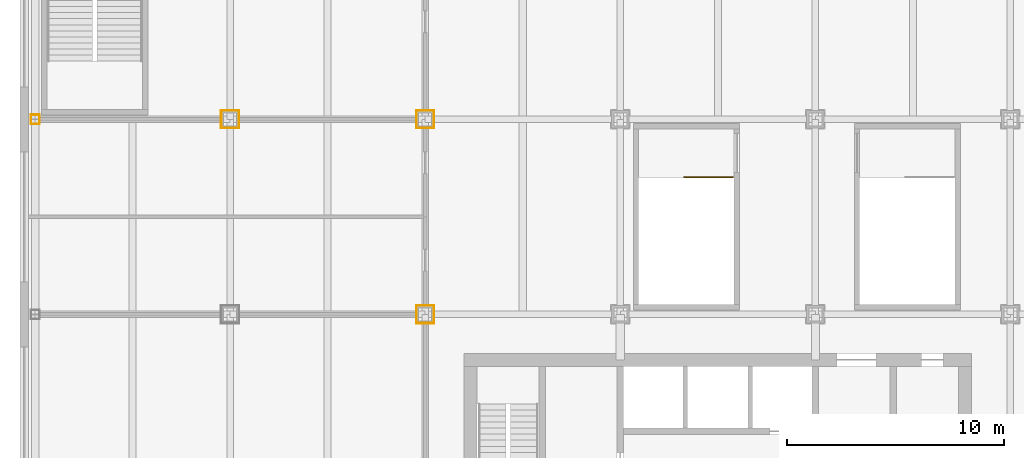
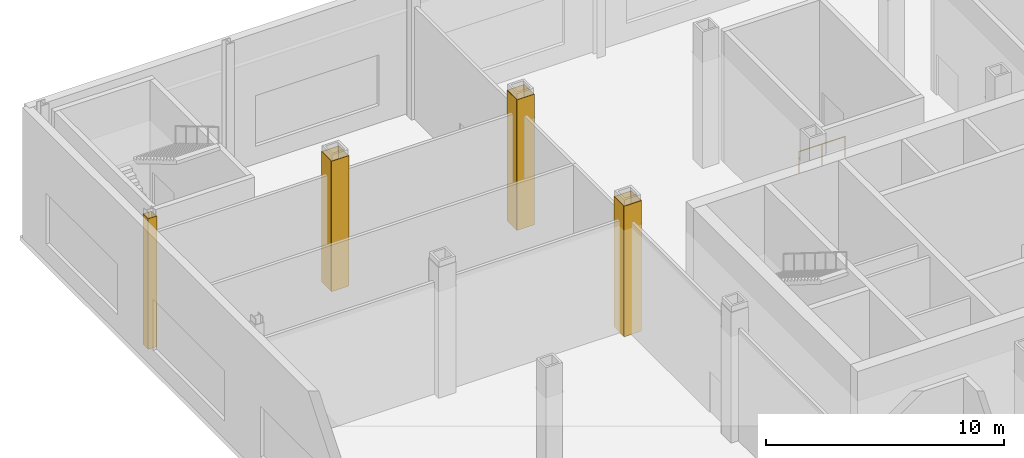
# One storey, part 25 of 32: 16 coverings, 1 railing.
"""IFC4 building model written with IfcOpenShell, lengths in metres."""

from ifc_helpers import new_model, si_unit, direction, frame, origin, origin_2d, place, context, subcontext, project, spatial, rectangle, circle, extrude, material, layer, layer_set, type_object, element, save


model = new_model("IFC4")

# Units and contexts
model_context = context("Model", 3, precision=1e-05, world=origin(), true_north=direction((0.0, 1.0)))
body_context = subcontext(model_context, "Body", "Model", "MODEL_VIEW")
ifc_project = project(units=[si_unit("LENGTHUNIT", "METRE"), si_unit("AREAUNIT", "SQUARE_METRE"), si_unit("VOLUMEUNIT", "CUBIC_METRE"), si_unit("PLANEANGLEUNIT", "RADIAN"), si_unit("MASSUNIT", "GRAM", prefix="KILO")], contexts=[model_context])

# Site, building, storey
site_placement = place(None, origin())
site = spatial("IfcSite", under=ifc_project, at=site_placement, CompositionType="ELEMENT")
building_placement = place(site_placement, origin())
building = spatial("IfcBuilding", under=site, at=building_placement, Name="Loomwork Tower", CompositionType="ELEMENT")
storey_placement = place(building_placement, frame((0.0, 0.0, 16.0)))
storey = spatial("IfcBuildingStorey", under=building, at=storey_placement, Name="L03", CompositionType="ELEMENT", Elevation=16.0)

# Coverings
ifc_material_1 = material(Name="Two-hour fire-rated gypsum board casing")
ifc_layer = layer(ifc_material_1, 0.02490234375)
ifc_layer_set = layer_set([ifc_layer], Name="Column fire casing 25")
covering_type = type_object("IfcCoveringType", Name="Column fire casing 25", PredefinedType="CLADDING", material=ifc_layer_set)
for number, where, z_axis, x_axis, name in (
    (1, (-9.0, 36.20947265625, 0.0), (0.0, 0.0, 1.0), (1.0, 0.0, 0.0), "Column casing -9 36 L03"),
    (2, (-9.0, 35.79052734375, 0.0), (0.0, 0.0, 1.0), (1.0, 0.0, 0.0), "Column casing -9 36 L03"),
):
    element("IfcCovering", number, at=place(storey_placement, frame(where, z_axis=z_axis, x_axis=x_axis)), inside=storey, type_object=covering_type, Name=name, PredefinedType="CLADDING", context=body_context, shape_type="SweptSolid", body=[
        extrude(rectangle(XDim=0.42578125, YDim=0.02490234375, at=origin_2d()), origin(), (0.0, 0.0, 1.0), 6.699951171875),
    ])
for number, where, z_axis, x_axis, name in (
    (3, (-8.799560546875, 36.0, 0.0), (0.0, 0.0, 1.0), (1.0, 0.0, 0.0), "Column casing -9 36 L03"),
    (4, (-9.200439453125, 36.0, 0.0), (0.0, 0.0, 1.0), (1.0, 0.0, 0.0), "Column casing -9 36 L03"),
):
    element("IfcCovering", number, at=place(storey_placement, frame(where, z_axis=z_axis, x_axis=x_axis)), inside=storey, type_object=covering_type, Name=name, PredefinedType="CLADDING", context=body_context, shape_type="SweptSolid", body=[
        extrude(rectangle(XDim=0.02490234375, YDim=0.393798828125, at=origin_2d()), origin(), (0.0, 0.0, 1.0), 6.699951171875),
    ])
for number, where, z_axis, x_axis, name in (
    (5, (0.0, 36.41259765625, 0.0), (0.0, 0.0, 1.0), (1.0, 0.0, 0.0), "Column casing 0 36 L03"),
    (6, (0.0, 35.58740234375, 0.0), (0.0, 0.0, 1.0), (1.0, 0.0, 0.0), "Column casing 0 36 L03"),
):
    element("IfcCovering", number, at=place(storey_placement, frame(where, z_axis=z_axis, x_axis=x_axis)), inside=storey, type_object=covering_type, Name=name, PredefinedType="CLADDING", context=body_context, shape_type="SweptSolid", body=[
        extrude(rectangle(XDim=0.85009765625, YDim=0.02490234375, at=origin_2d()), origin(), (0.0, 0.0, 1.0), 6.699951171875),
    ])
for number, where, z_axis, x_axis, name in (
    (7, (0.41259765625, 36.0, 0.0), (0.0, 0.0, 1.0), (1.0, 0.0, 0.0), "Column casing 0 36 L03"),
    (8, (-0.41259765625, 36.0, 0.0), (0.0, 0.0, 1.0), (1.0, 0.0, 0.0), "Column casing 0 36 L03"),
):
    element("IfcCovering", number, at=place(storey_placement, frame(where, z_axis=z_axis, x_axis=x_axis)), inside=storey, type_object=covering_type, Name=name, PredefinedType="CLADDING", context=body_context, shape_type="SweptSolid", body=[
        extrude(rectangle(XDim=0.02490234375, YDim=0.800048828125, at=origin_2d()), origin(), (0.0, 0.0, 1.0), 6.699951171875),
    ])
for number, where, z_axis, x_axis, name in (
    (9, (9.0, 27.41259765625, 0.0), (0.0, 0.0, 1.0), (1.0, 0.0, 0.0), "Column casing 9 27 L03"),
    (10, (9.0, 26.58740234375, 0.0), (0.0, 0.0, 1.0), (1.0, 0.0, 0.0), "Column casing 9 27 L03"),
):
    element("IfcCovering", number, at=place(storey_placement, frame(where, z_axis=z_axis, x_axis=x_axis)), inside=storey, type_object=covering_type, Name=name, PredefinedType="CLADDING", context=body_context, shape_type="SweptSolid", body=[
        extrude(rectangle(XDim=0.85009765625, YDim=0.02490234375, at=origin_2d()), origin(), (0.0, 0.0, 1.0), 6.699951171875),
    ])
for number, where, z_axis, x_axis, name in (
    (11, (9.41259765625, 27.0, 0.0), (0.0, 0.0, 1.0), (1.0, 0.0, 0.0), "Column casing 9 27 L03"),
    (12, (8.58740234375, 27.0, 0.0), (0.0, 0.0, 1.0), (1.0, 0.0, 0.0), "Column casing 9 27 L03"),
):
    element("IfcCovering", number, at=place(storey_placement, frame(where, z_axis=z_axis, x_axis=x_axis)), inside=storey, type_object=covering_type, Name=name, PredefinedType="CLADDING", context=body_context, shape_type="SweptSolid", body=[
        extrude(rectangle(XDim=0.02490234375, YDim=0.800048828125, at=origin_2d()), origin(), (0.0, 0.0, 1.0), 6.699951171875),
    ])
for number, where, z_axis, x_axis, name in (
    (13, (9.0, 36.41259765625, 0.0), (0.0, 0.0, 1.0), (1.0, 0.0, 0.0), "Column casing 9 36 L03"),
    (14, (9.0, 35.58740234375, 0.0), (0.0, 0.0, 1.0), (1.0, 0.0, 0.0), "Column casing 9 36 L03"),
):
    element("IfcCovering", number, at=place(storey_placement, frame(where, z_axis=z_axis, x_axis=x_axis)), inside=storey, type_object=covering_type, Name=name, PredefinedType="CLADDING", context=body_context, shape_type="SweptSolid", body=[
        extrude(rectangle(XDim=0.85009765625, YDim=0.02490234375, at=origin_2d()), origin(), (0.0, 0.0, 1.0), 6.699951171875),
    ])
for number, where, z_axis, x_axis, name in (
    (15, (9.41259765625, 36.0, 0.0), (0.0, 0.0, 1.0), (1.0, 0.0, 0.0), "Column casing 9 36 L03"),
    (16, (8.58740234375, 36.0, 0.0), (0.0, 0.0, 1.0), (1.0, 0.0, 0.0), "Column casing 9 36 L03"),
):
    element("IfcCovering", number, at=place(storey_placement, frame(where, z_axis=z_axis, x_axis=x_axis)), inside=storey, type_object=covering_type, Name=name, PredefinedType="CLADDING", context=body_context, shape_type="SweptSolid", body=[
        extrude(rectangle(XDim=0.02490234375, YDim=0.800048828125, at=origin_2d()), origin(), (0.0, 0.0, 1.0), 6.699951171875),
    ])

# Railing
ifc_material_2 = material(Name="Stainless steel and laminated glass guard", Category="steel")
railing_type = type_object("IfcRailingType", Name="Guard 1100", PredefinedType="GUARDRAIL", material=ifc_material_2)
railing_placement = place(storey_placement, frame((20.949951171875, 33.320068359375, 0.0)))
element("IfcRailing", 17, at=railing_placement, inside=storey, type_object=railing_type, Name="Stair PS10 top landing guard", PredefinedType="GUARDRAIL", context=body_context, shape_type="SweptSolid", body=[
    extrude(circle(Radius=0.02392578125, at=origin_2d()), frame((0.0, 0.0, 1.076171875), z_axis=(1.0, 0.0, 0.0), x_axis=(0.0, 1.0, 0.0)), (0.0, 0.0, 1.0), 2.25),
    extrude(circle(Radius=0.02099609375, at=origin_2d()), origin(), (0.0, 0.0, 1.0), 1.052001953125),
    extrude(circle(Radius=0.02099609375, at=origin_2d()), frame((1.125, 0.0, 0.0)), (0.0, 0.0, 1.0), 1.052001953125),
    extrude(circle(Radius=0.02099609375, at=origin_2d()), frame((2.25, 0.0, 0.0)), (0.0, 0.0, 1.0), 1.052001953125),
])

save(model, "model.ifc")
